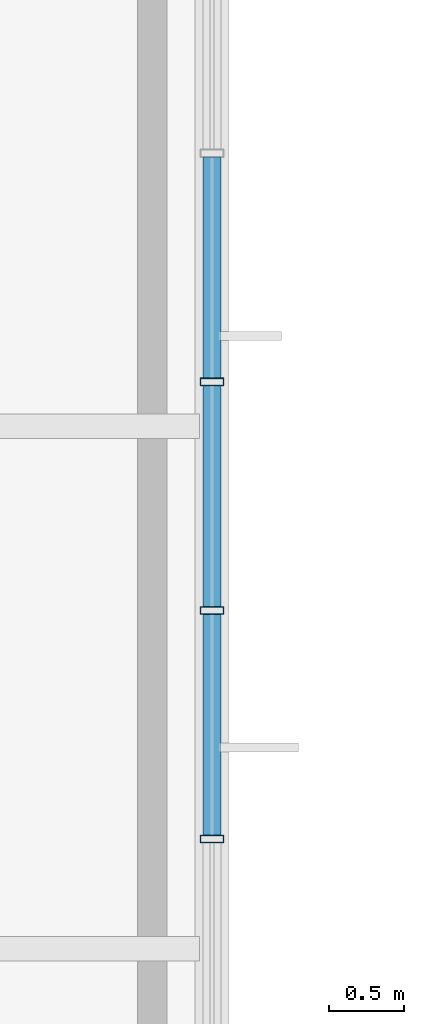
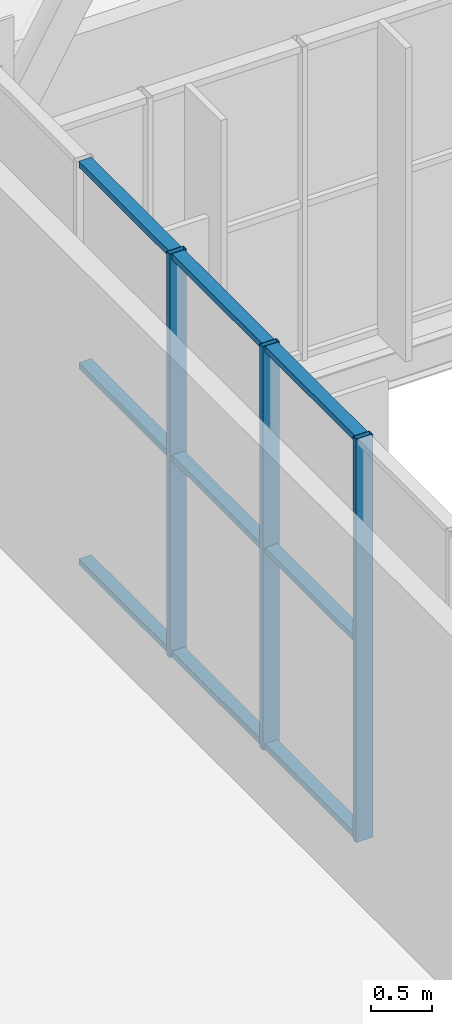
# One storey, part 56 of 324: 12 members, 1 element without a shape of its own.
"""IFC4 building model written with IfcOpenShell, lengths in metres."""

from ifc_helpers import new_model, si_unit, direction, frame, origin, origin_2d, place, context, subcontext, project, spatial, hollow_rectangle, extrude, material, layer, layer_set, material_profile, profile_set, type_object, element, aggregate, save


model = new_model("IFC4")

# Units and contexts
model_context = context("Model", 3, precision=1e-05, world=origin(), true_north=direction((0.0, 1.0)))
body_context = subcontext(model_context, "Body", "Model", "MODEL_VIEW")
ifc_project = project(units=[si_unit("LENGTHUNIT", "METRE"), si_unit("AREAUNIT", "SQUARE_METRE"), si_unit("VOLUMEUNIT", "CUBIC_METRE"), si_unit("PLANEANGLEUNIT", "RADIAN"), si_unit("MASSUNIT", "GRAM", prefix="KILO")], contexts=[model_context])

# Site, building, storey
site_placement = place(None, origin())
site = spatial("IfcSite", under=ifc_project, at=site_placement, CompositionType="ELEMENT")
building_placement = place(site_placement, origin())
building = spatial("IfcBuilding", under=site, at=building_placement, Name="Solvenia Promenade Tram Depot", CompositionType="ELEMENT")
storey_placement = place(building_placement, frame((0.0, 0.0, 4.5)))
storey = spatial("IfcBuildingStorey", under=building, at=storey_placement, Name="L01", CompositionType="ELEMENT", Elevation=4.5)

# Curtain wall, members
ifc_material = material(Name="Anodized aluminium AW-6063 T6", Category="aluminium")
ifc_layer = layer(ifc_material, 0.1201171875, Name="Anodized aluminium AW-6063 T6", Category="aluminium")
ifc_layer_set = layer_set([ifc_layer], Name="Anodized aluminium AW-6063 T6")
curtain_wall_type = type_object("IfcCurtainWallType", Name="CW-Wash-1500", PredefinedType="NOTDEFINED", material=ifc_layer_set)
curtain_wall_placement = place(storey_placement, origin())
curtain_wall = element("IfcCurtainWall", 1, at=curtain_wall_placement, inside=storey, type_object=curtain_wall_type, Name="Curtain Wall CW-V3-E-L1-3", PredefinedType="NOTDEFINED")
ifc_material_profile_1 = material_profile(ifc_material, hollow_rectangle(XDim=0.159912109375, YDim=0.052001953125, WallThickness=0.00390625, at=origin_2d()), Name="ALU-M1", Category="aluminium")
ifc_profile_set_1 = profile_set([ifc_material_profile_1], Name="Anodized aluminium AW-6063 T6")
member_type_1 = type_object("IfcMemberType", Name="CWM-Mullion-1", PredefinedType="MULLION", material=ifc_profile_set_1)
member_1_placement = place(storey_placement, frame((45.0, 59.735595703125, 0.0), z_axis=(0.0, 0.0, 1.0), x_axis=(-1.0, 0.0, 0.0)))
member_1 = element("IfcMember", 2, at=member_1_placement, type_object=member_type_1, Name="CW-10 mullion 6", PredefinedType="MULLION", context=body_context, shape_type="SweptSolid", body=[
    extrude(hollow_rectangle(XDim=0.159912109375, YDim=0.052001953125, WallThickness=0.00390625, at=origin_2d()), origin(), (0.0, 0.0, 1.0), 4.050048828125),
])
member_2_placement = place(storey_placement, frame((45.0, 61.2666015625, 0.0), z_axis=(0.0, 0.0, 1.0), x_axis=(-1.0, 0.0, 0.0)))
member_2 = element("IfcMember", 3, at=member_2_placement, type_object=member_type_1, Name="CW-10 mullion 7", PredefinedType="MULLION", context=body_context, shape_type="SweptSolid", body=[
    extrude(hollow_rectangle(XDim=0.159912109375, YDim=0.052001953125, WallThickness=0.00390625, at=origin_2d()), origin(), (0.0, 0.0, 1.0), 4.050048828125),
])
member_3_placement = place(storey_placement, frame((45.0, 62.7978515625, 0.0), z_axis=(0.0, 0.0, 1.0), x_axis=(-1.0, 0.0, 0.0)))
member_3 = element("IfcMember", 4, at=member_3_placement, type_object=member_type_1, Name="CW-10 mullion 8", PredefinedType="MULLION", context=body_context, shape_type="SweptSolid", body=[
    extrude(hollow_rectangle(XDim=0.159912109375, YDim=0.052001953125, WallThickness=0.00390625, at=origin_2d()), origin(), (0.0, 0.0, 1.0), 4.050048828125),
])
ifc_material_profile_2 = material_profile(ifc_material, hollow_rectangle(XDim=0.1201171875, YDim=0.06005859375, WallThickness=0.00390625, at=origin_2d()), Name="ALU-T1", Category="aluminium")
ifc_profile_set_2 = profile_set([ifc_material_profile_2], Name="Anodized aluminium AW-6063 T6")
member_type_2 = type_object("IfcMemberType", Name="CWT-Transom-1", PredefinedType="USERDEFINED", material=ifc_profile_set_2)
member_4_placement = place(storey_placement, frame((45.0, 59.761474609375, 0.030029296875), z_axis=(0.0, 1.0, 0.0), x_axis=(-1.0, 0.0, 0.0)))
member_4 = element("IfcMember", 5, at=member_4_placement, type_object=member_type_2, Name="CW-10 transom 6.1", ObjectType="TRANSOM", PredefinedType="USERDEFINED", context=body_context, shape_type="SweptSolid", body=[
    extrude(hollow_rectangle(XDim=0.1201171875, YDim=0.06005859375, WallThickness=0.00390625, at=origin_2d()), origin(), (0.0, 0.0, 1.0), 1.479248046875),
])
member_5_placement = place(storey_placement, frame((45.0, 59.761474609375, 2.0), z_axis=(0.0, 1.0, 0.0), x_axis=(-1.0, 0.0, 0.0)))
member_5 = element("IfcMember", 6, at=member_5_placement, type_object=member_type_2, Name="CW-10 transom 6.2", ObjectType="TRANSOM", PredefinedType="USERDEFINED", context=body_context, shape_type="SweptSolid", body=[
    extrude(hollow_rectangle(XDim=0.1201171875, YDim=0.06005859375, WallThickness=0.00390625, at=origin_2d()), origin(), (0.0, 0.0, 1.0), 1.479248046875),
])
member_6_placement = place(storey_placement, frame((45.0, 59.761474609375, 4.02001953125), z_axis=(0.0, 1.0, 0.0), x_axis=(-1.0, 0.0, 0.0)))
member_6 = element("IfcMember", 7, at=member_6_placement, type_object=member_type_2, Name="CW-10 transom 6.3", ObjectType="TRANSOM", PredefinedType="USERDEFINED", context=body_context, shape_type="SweptSolid", body=[
    extrude(hollow_rectangle(XDim=0.1201171875, YDim=0.06005859375, WallThickness=0.00390625, at=origin_2d()), origin(), (0.0, 0.0, 1.0), 1.479248046875),
])
member_7_placement = place(storey_placement, frame((45.0, 61.292724609375, 0.030029296875), z_axis=(0.0, 1.0, 0.0), x_axis=(-1.0, 0.0, 0.0)))
member_7 = element("IfcMember", 8, at=member_7_placement, type_object=member_type_2, Name="CW-10 transom 7.1", ObjectType="TRANSOM", PredefinedType="USERDEFINED", context=body_context, shape_type="SweptSolid", body=[
    extrude(hollow_rectangle(XDim=0.1201171875, YDim=0.06005859375, WallThickness=0.00390625, at=origin_2d()), origin(), (0.0, 0.0, 1.0), 1.47900390625),
])
member_8_placement = place(storey_placement, frame((45.0, 61.292724609375, 2.0), z_axis=(0.0, 1.0, 0.0), x_axis=(-1.0, 0.0, 0.0)))
member_8 = element("IfcMember", 9, at=member_8_placement, type_object=member_type_2, Name="CW-10 transom 7.2", ObjectType="TRANSOM", PredefinedType="USERDEFINED", context=body_context, shape_type="SweptSolid", body=[
    extrude(hollow_rectangle(XDim=0.1201171875, YDim=0.06005859375, WallThickness=0.00390625, at=origin_2d()), origin(), (0.0, 0.0, 1.0), 1.47900390625),
])
member_9_placement = place(storey_placement, frame((45.0, 61.292724609375, 4.02001953125), z_axis=(0.0, 1.0, 0.0), x_axis=(-1.0, 0.0, 0.0)))
member_9 = element("IfcMember", 10, at=member_9_placement, type_object=member_type_2, Name="CW-10 transom 7.3", ObjectType="TRANSOM", PredefinedType="USERDEFINED", context=body_context, shape_type="SweptSolid", body=[
    extrude(hollow_rectangle(XDim=0.1201171875, YDim=0.06005859375, WallThickness=0.00390625, at=origin_2d()), origin(), (0.0, 0.0, 1.0), 1.47900390625),
])
member_10_placement = place(storey_placement, frame((45.0, 62.82373046875, 0.030029296875), z_axis=(0.0, 1.0, 0.0), x_axis=(-1.0, 0.0, 0.0)))
member_10 = element("IfcMember", 11, at=member_10_placement, type_object=member_type_2, Name="CW-10 transom 8.1", ObjectType="TRANSOM", PredefinedType="USERDEFINED", context=body_context, shape_type="SweptSolid", body=[
    extrude(hollow_rectangle(XDim=0.1201171875, YDim=0.06005859375, WallThickness=0.00390625, at=origin_2d()), origin(), (0.0, 0.0, 1.0), 1.479248046875),
])
member_11_placement = place(storey_placement, frame((45.0, 62.82373046875, 2.0), z_axis=(0.0, 1.0, 0.0), x_axis=(-1.0, 0.0, 0.0)))
member_11 = element("IfcMember", 12, at=member_11_placement, type_object=member_type_2, Name="CW-10 transom 8.2", ObjectType="TRANSOM", PredefinedType="USERDEFINED", context=body_context, shape_type="SweptSolid", body=[
    extrude(hollow_rectangle(XDim=0.1201171875, YDim=0.06005859375, WallThickness=0.00390625, at=origin_2d()), origin(), (0.0, 0.0, 1.0), 1.479248046875),
])
member_12_placement = place(storey_placement, frame((45.0, 62.82373046875, 4.02001953125), z_axis=(0.0, 1.0, 0.0), x_axis=(-1.0, 0.0, 0.0)))
member_12 = element("IfcMember", 13, at=member_12_placement, type_object=member_type_2, Name="CW-10 transom 8.3", ObjectType="TRANSOM", PredefinedType="USERDEFINED", context=body_context, shape_type="SweptSolid", body=[
    extrude(hollow_rectangle(XDim=0.1201171875, YDim=0.06005859375, WallThickness=0.00390625, at=origin_2d()), origin(), (0.0, 0.0, 1.0), 1.479248046875),
])
aggregate(curtain_wall, [member_1, member_2, member_3, member_4, member_5, member_6, member_7, member_8, member_9, member_10, member_11, member_12])

save(model, "model.ifc")
